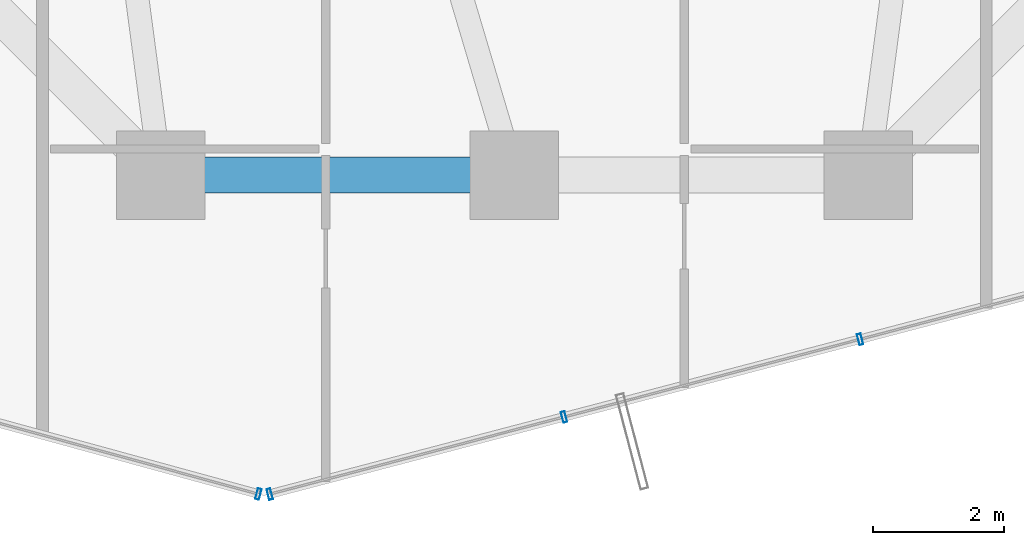
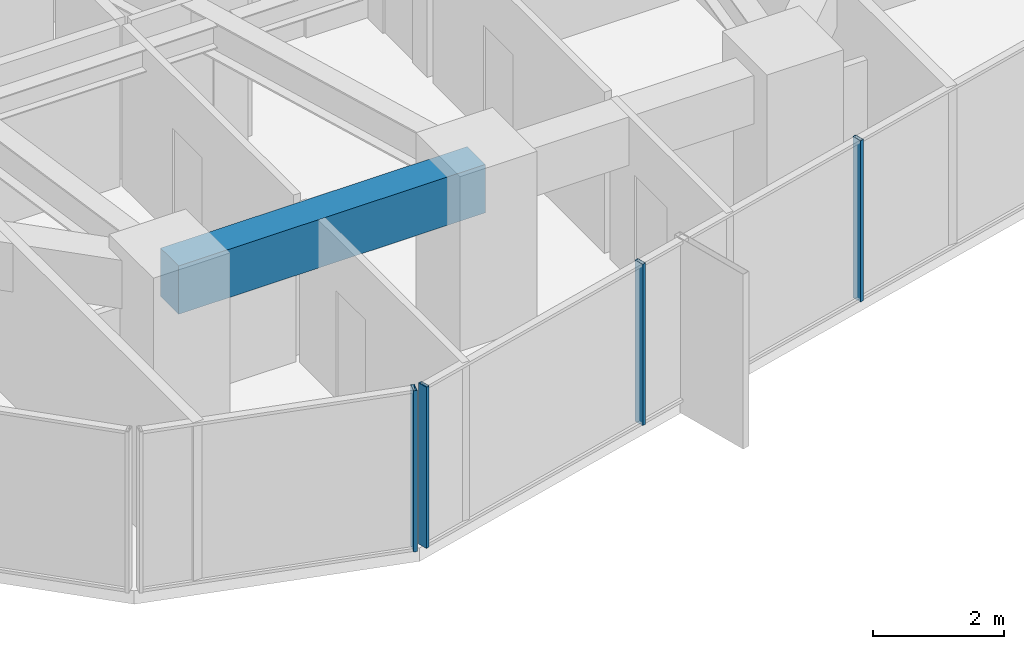
# One storey, part 7 of 39: 4 members, 1 beam, 2 elements without a shape of their own.
"""IFC4 building model written with IfcOpenShell, lengths in metres."""

from ifc_helpers import new_model, si_unit, direction, frame, origin, origin_2d, place, context, subcontext, project, spatial, rectangle, hollow_rectangle, extrude, source, transform, mapped, material, layer, layer_set, material_profile, profile_set, type_object, element, aggregate, save


model = new_model("IFC4")

# Units and contexts
model_context = context("Model", 3, precision=1e-05, world=origin(), true_north=direction((0.0, 1.0)))
body_context = subcontext(model_context, "Body", "Model", "MODEL_VIEW")
ifc_project = project(units=[si_unit("LENGTHUNIT", "METRE"), si_unit("AREAUNIT", "SQUARE_METRE"), si_unit("VOLUMEUNIT", "CUBIC_METRE"), si_unit("PLANEANGLEUNIT", "RADIAN"), si_unit("MASSUNIT", "GRAM", prefix="KILO")], contexts=[model_context])

# Site, building, storey
site_placement = place(None, origin())
site = spatial("IfcSite", under=ifc_project, at=site_placement, CompositionType="ELEMENT")
building_placement = place(site_placement, origin())
building = spatial("IfcBuilding", under=site, at=building_placement, Name="Veraguas Prism Commons", CompositionType="ELEMENT")
storey_placement = place(building_placement, frame((0.0, 0.0, 73.85009765625)))
storey = spatial("IfcBuildingStorey", under=building, at=storey_placement, Name="L20", CompositionType="ELEMENT", Elevation=73.85009765625)

# Beam
ifc_material_1 = material(Name="Concrete C50/60", Category="concrete")
ifc_material_profile_1 = material_profile(ifc_material_1, rectangle(XDim=0.550048828125, YDim=0.89990234375, at=origin_2d()), Name="RC550X900")
ifc_profile_set_1 = profile_set([ifc_material_profile_1], Name="Concrete C50/60")
beam_type = type_object("IfcBeamType", Name="Perimeter Spandrel Lower RC 550x900", PredefinedType="SPANDREL", material=ifc_profile_set_1)
beam_placement = place(storey_placement, frame((18.60009765625, 6.39990234375, 2.5498046875), z_axis=(1.0, 0.0, 0.0), x_axis=(0.0, 1.0, 0.0)))
element("IfcBeam", 1, at=beam_placement, inside=storey, type_object=beam_type, Name="Perimeter Spandrel Beam L20-SP10", PredefinedType="SPANDREL", context=body_context, shape_type="SweptSolid", body=[
    extrude(rectangle(XDim=0.550048828125, YDim=0.89990234375, at=origin_2d()), origin(), (0.0, 0.0, 1.0), 5.39990234375),
])

# Curtain wall, members
ifc_material_2 = material(Name="Anodised aluminium EN AW-6063 T6", Category="aluminium")
ifc_layer = layer(ifc_material_2, 0.169921875, Name="Unitised Flush Curtain Wall Zone 1", Category="aluminium")
ifc_layer_set = layer_set([ifc_layer], Name="Anodised aluminium EN AW-6063 T6")
curtain_wall_type = type_object("IfcCurtainWallType", Name="Unitised Flush Curtain Wall Zone 1", PredefinedType="NOTDEFINED", material=ifc_layer_set)
curtain_wall_1_placement = place(storey_placement, origin())
curtain_wall_1 = element("IfcCurtainWall", 2, at=curtain_wall_1_placement, inside=storey, type_object=curtain_wall_type, Name="Tower Facade Curtain Wall L20-F5", PredefinedType="NOTDEFINED")
ifc_material_profile_2 = material_profile(ifc_material_2, hollow_rectangle(XDim=0.06005859375, YDim=0.169921875, WallThickness=0.00390625, at=origin_2d()), Name="AL60X170X4")
ifc_profile_set_2 = profile_set([ifc_material_profile_2], Name="Anodised aluminium EN AW-6063 T6")
member_type = type_object("IfcMemberType", Name="Curtain Wall Mullion Lower AL 60x170x4", PredefinedType="MULLION", material=ifc_profile_set_2)
shared_shape = source(origin(), body_context, "Body", "SweptSolid", [
    extrude(hollow_rectangle(XDim=0.06005859375, YDim=0.169921875, WallThickness=0.00390625, at=origin_2d()), origin(), (0.0, 0.0, 1.0), 3.0),
])
member_1_placement = place(storey_placement, frame((20.26708984375, 1.53271484375, 0.0), z_axis=(0.0, 0.0, 1.0), x_axis=(0.967267309883, 0.253759632785, 0.0)))
member_1 = element("IfcMember", 3, at=member_1_placement, type_object=member_type, Name="CW-Z1 Mullion 1", PredefinedType="MULLION", context=body_context, shape_type="MappedRepresentation", body=[
    mapped(shared_shape, transform((0.0, 0.0, 0.0), scale=1.0)),
])
member_2_placement = place(storey_placement, frame((24.756103515625, 2.71044921875, 0.0), z_axis=(0.0, 0.0, 1.0), x_axis=(0.967267309883, 0.253759632785, 0.0)))
member_2 = element("IfcMember", 4, at=member_2_placement, type_object=member_type, Name="CW-Z1 Mullion 2", PredefinedType="MULLION", context=body_context, shape_type="MappedRepresentation", body=[
    mapped(shared_shape, transform((0.0, 0.0, 0.0), scale=1.0)),
])
member_3_placement = place(storey_placement, frame((29.274169921875, 3.895751953125, 0.0), z_axis=(0.0, 0.0, 1.0), x_axis=(0.967267309883, 0.253759632785, 0.0)))
member_3 = element("IfcMember", 5, at=member_3_placement, type_object=member_type, Name="CW-Z1 Mullion 3", PredefinedType="MULLION", context=body_context, shape_type="MappedRepresentation", body=[
    mapped(shared_shape, transform((0.0, 0.0, 0.0), scale=1.0)),
])
aggregate(curtain_wall_1, [member_1, member_2, member_3])

# Curtain wall, member
curtain_wall_2_placement = place(storey_placement, origin())
curtain_wall_2 = element("IfcCurtainWall", 6, at=curtain_wall_2_placement, inside=storey, type_object=curtain_wall_type, Name="Chamfer Curtain Wall L20-C5", PredefinedType="NOTDEFINED")
member_4_placement = place(storey_placement, frame((20.09326171875, 1.53369140625, 0.0), z_axis=(0.0, 0.0, 1.0), x_axis=(0.964554194568, -0.263884834238, 0.0)))
member_4 = element("IfcMember", 7, at=member_4_placement, type_object=member_type, Name="CW-Z1 Mullion 2", PredefinedType="MULLION", context=body_context, shape_type="MappedRepresentation", body=[
    mapped(shared_shape, transform((0.0, 0.0, 0.0), scale=1.0)),
])
aggregate(curtain_wall_2, [member_4])

save(model, "model.ifc")
